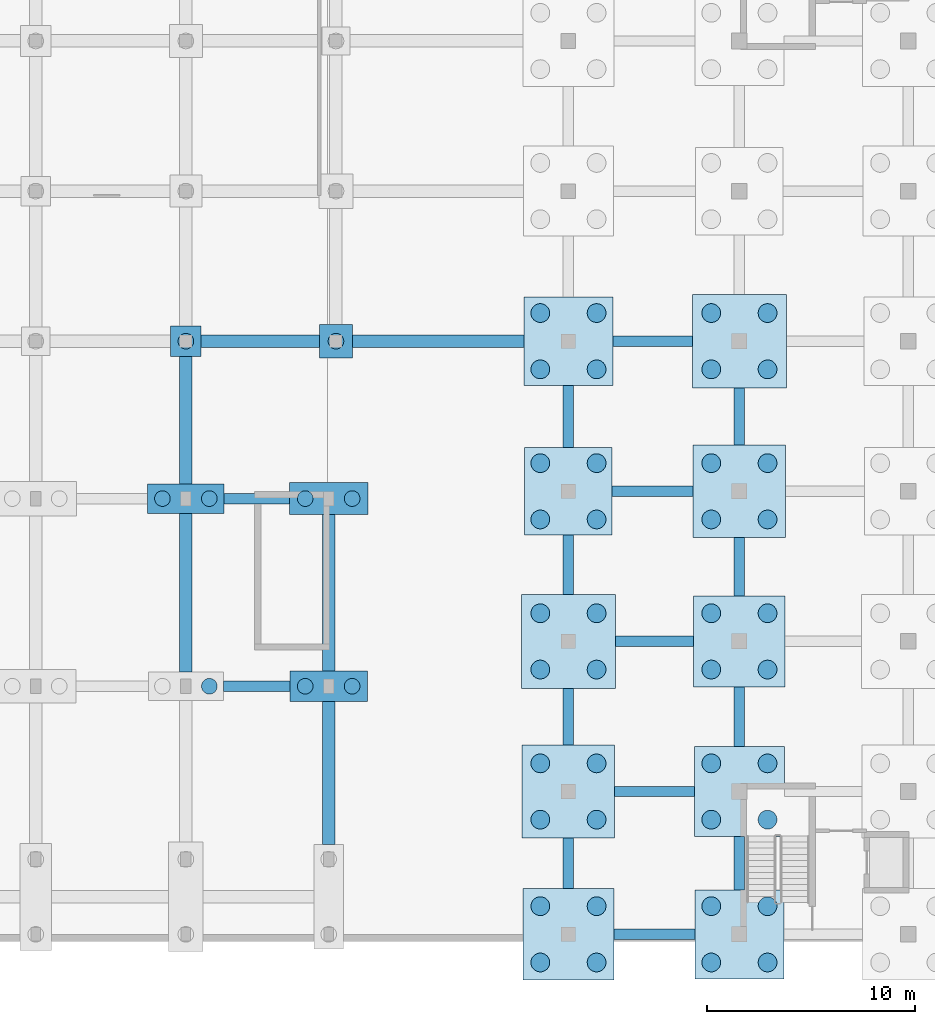
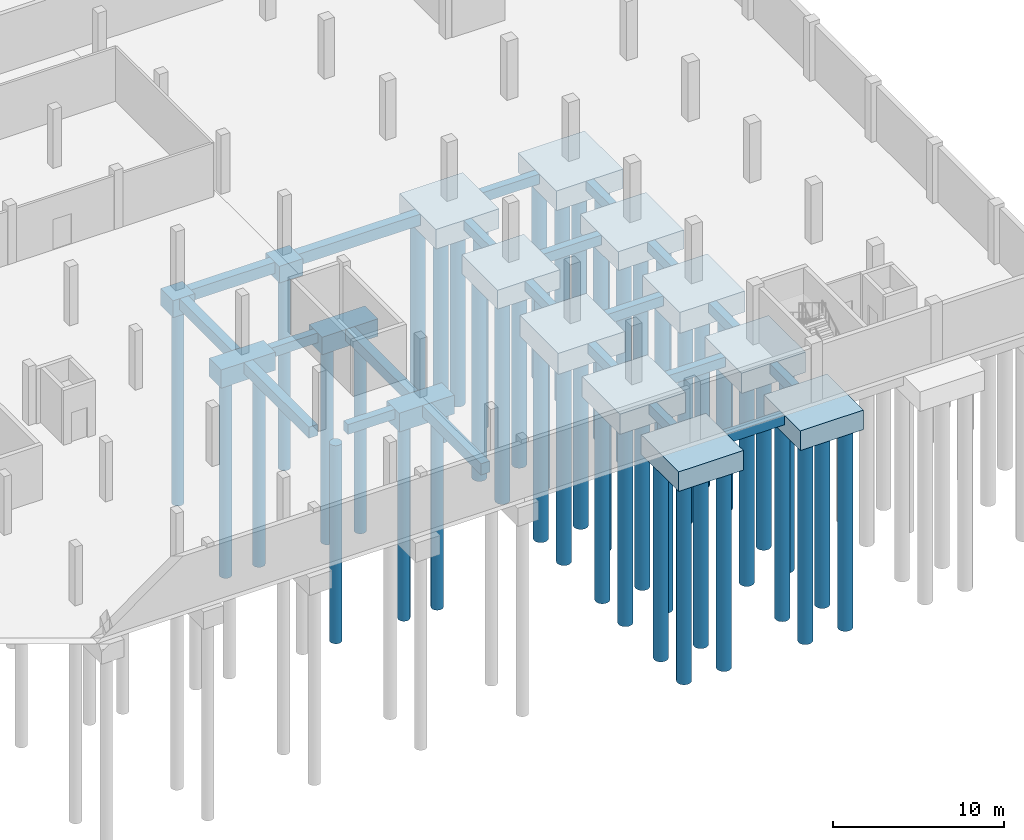
# One storey, part 9 of 36: 49 piles, 36 footings.
"""IFC4 building model written with IfcOpenShell, lengths in metres."""

from ifc_helpers import new_model, si_unit, derived_unit, direction, frame, origin, origin_2d, place, context, subcontext, project, spatial, polyline, rectangle, circle, outline, extrude, material, material_profile, profile_set, type_object, element, save


model = new_model("IFC4")

# Units and contexts
model_context = context("Model", 3, precision=1e-05, world=origin(), true_north=direction((0.0, 1.0)))
body_context = subcontext(model_context, "Body", "Model", "MODEL_VIEW")
ifc_project = project(units=[si_unit("LENGTHUNIT", "METRE"), si_unit("AREAUNIT", "SQUARE_METRE"), si_unit("VOLUMEUNIT", "CUBIC_METRE"), si_unit("PLANEANGLEUNIT", "RADIAN"), si_unit("MASSUNIT", "GRAM", prefix="KILO"), derived_unit("THERMALTRANSMITTANCEUNIT", [(si_unit("MASSUNIT", "GRAM", prefix="KILO"), 1), (si_unit("TIMEUNIT", "SECOND"), -3), (si_unit("THERMODYNAMICTEMPERATUREUNIT", "KELVIN"), -1)])], contexts=[model_context])

# Site, building, storey
site_placement = place(None, origin())
site = spatial("IfcSite", under=ifc_project, at=site_placement, CompositionType="ELEMENT")
building_placement = place(site_placement, origin())
building = spatial("IfcBuilding", under=site, at=building_placement, Name="Ochrekiln Boulevard Commons", CompositionType="ELEMENT")
storey_placement = place(building_placement, frame((0.0, 0.0, -4.199951171875)))
storey = spatial("IfcBuildingStorey", under=building, at=storey_placement, Name="B1", CompositionType="ELEMENT", Elevation=-4.199951171875)

# Footings
ifc_material = material(Name="Concrete C35/45", Category="concrete")
footing_type_1 = type_object("IfcFootingType", Name="CAP-RC-1470x1470x1200", PredefinedType="PILE_CAP", material=ifc_material)
footing_1_placement = place(storey_placement, frame((129.60009765625, 28.800048828125, -1.5), z_axis=(0.0, 0.0, 1.0), x_axis=(1.0, 0.0, 0.0)))
element("IfcFooting", 1, at=footing_1_placement, inside=storey, type_object=footing_type_1, Name="Reinforced Concrete Pile Cap PC-29 (158)", PredefinedType="PILE_CAP", context=body_context, shape_type="SweptSolid", body=[
    extrude(rectangle(XDim=1.469970703125, YDim=1.469970703125, at=origin_2d()), origin(), (0.0, 0.0, 1.0), 1.199951171875),
])
footing_type_2 = type_object("IfcFootingType", Name="CAP-RC-1590x1590x1200", PredefinedType="PILE_CAP", material=ifc_material)
footing_2_placement = place(storey_placement, frame((136.800048828125, 28.800048828125, -1.5), z_axis=(0.0, 0.0, 1.0), x_axis=(1.0, 0.0, 0.0)))
element("IfcFooting", 2, at=footing_2_placement, inside=storey, type_object=footing_type_2, Name="Reinforced Concrete Pile Cap PC-26 (166)", PredefinedType="PILE_CAP", context=body_context, shape_type="SweptSolid", body=[
    extrude(rectangle(XDim=1.590087890625, YDim=1.590087890625, at=origin_2d()), origin(), (0.0, 0.0, 1.0), 1.199951171875),
])
footing_type_3 = type_object("IfcFootingType", Name="CAP-RC-3660x1410x1300", PredefinedType="PILE_CAP", material=ifc_material)
footing_3_placement = place(storey_placement, frame((129.60009765625, 21.25, -1.60009765625), z_axis=(0.0, 0.0, 1.0), x_axis=(1.0, 0.0, 0.0)))
element("IfcFooting", 3, at=footing_3_placement, inside=storey, type_object=footing_type_3, Name="Reinforced Concrete Pile Cap PC-40 (157)", PredefinedType="PILE_CAP", context=body_context, shape_type="SweptSolid", body=[
    extrude(rectangle(XDim=3.659912109375, YDim=1.409912109375, at=origin_2d()), origin(), (0.0, 0.0, 1.0), 1.300048828125),
])
footing_type_4 = type_object("IfcFootingType", Name="CAP-RC-3720x1470x1350", PredefinedType="PILE_CAP", material=ifc_material)
footing_4_placement = place(storey_placement, frame((136.449951171875, 12.25, -1.650146484375), z_axis=(0.0, 0.0, 1.0), x_axis=(1.0, 0.0, 0.0)))
element("IfcFooting", 4, at=footing_4_placement, inside=storey, type_object=footing_type_4, Name="Reinforced Concrete Pile Cap PC-35 (164)", PredefinedType="PILE_CAP", context=body_context, shape_type="SweptSolid", body=[
    extrude(rectangle(XDim=3.719970703125, YDim=1.469970703125, at=origin_2d()), origin(), (0.0, 0.0, 1.0), 1.35009765625),
])
footing_type_5 = type_object("IfcFootingType", Name="CAP-RC-3780x1530x1250", PredefinedType="PILE_CAP", material=ifc_material)
footing_5_placement = place(storey_placement, frame((136.449951171875, 21.25, -1.550048828125), z_axis=(0.0, 0.0, 1.0), x_axis=(1.0, 0.0, 0.0)))
element("IfcFooting", 5, at=footing_5_placement, inside=storey, type_object=footing_type_5, Name="Reinforced Concrete Pile Cap PC-36 (165)", PredefinedType="PILE_CAP", context=body_context, shape_type="SweptSolid", body=[
    extrude(rectangle(XDim=3.780029296875, YDim=1.530029296875, at=origin_2d()), origin(), (0.0, 0.0, 1.0), 1.25),
])
footing_type_6 = type_object("IfcFootingType", Name="CAP-RC-4200x4200x1350", PredefinedType="PILE_CAP", material=ifc_material)
footing_6_placement = place(storey_placement, frame((147.949951171875, 21.60009765625, -1.650146484375), z_axis=(0.0, 0.0, 1.0), x_axis=(1.0, 0.0, 0.0)))
element("IfcFooting", 6, at=footing_6_placement, inside=storey, type_object=footing_type_6, Name="Reinforced Concrete Pile Cap PC-45 (180)", PredefinedType="PILE_CAP", context=body_context, shape_type="SweptSolid", body=[
    extrude(rectangle(XDim=4.199951171875, YDim=4.199951171875, at=origin_2d()), origin(), (0.0, 0.0, 1.0), 1.35009765625),
])
footing_type_7 = type_object("IfcFootingType", Name="CAP-RC-4260x4260x1400", PredefinedType="PILE_CAP", material=ifc_material)
for number, where, z_axis, x_axis, name in (
    (7, (147.949951171875, 28.800048828125, -1.699951171875), (0.0, 0.0, 1.0), (1.0, 0.0, 0.0), "Reinforced Concrete Pile Cap PC-46 (181)"),
    (8, (156.14990234375, 0.35009765625, -1.699951171875), (0.0, 0.0, 1.0), (1.0, 0.0, 0.0), "Reinforced Concrete Pile Cap PC-46 (193)"),
):
    element("IfcFooting", number, at=place(storey_placement, frame(where, z_axis=z_axis, x_axis=x_axis)), inside=storey, type_object=footing_type_7, Name=name, PredefinedType="PILE_CAP", context=body_context, shape_type="SweptSolid", body=[
        extrude(rectangle(XDim=4.260009765625, YDim=4.260009765625, at=origin_2d()), origin(), (0.0, 0.0, 1.0), 1.39990234375),
    ])
footing_type_8 = type_object("IfcFootingType", Name="CAP-RC-4320x4320x1450", PredefinedType="PILE_CAP", material=ifc_material)
footing_7_placement = place(storey_placement, frame((156.14990234375, 7.199951171875, -1.75), z_axis=(0.0, 0.0, 1.0), x_axis=(1.0, 0.0, 0.0)))
element("IfcFooting", 9, at=footing_7_placement, inside=storey, type_object=footing_type_8, Name="Reinforced Concrete Pile Cap PC-47 (194)", PredefinedType="PILE_CAP", context=body_context, shape_type="SweptSolid", body=[
    extrude(rectangle(XDim=4.320068359375, YDim=4.320068359375, at=origin_2d()), origin(), (0.0, 0.0, 1.0), 1.449951171875),
])
footing_type_9 = type_object("IfcFootingType", Name="CAP-RC-4380x4380x1400", PredefinedType="PILE_CAP", material=ifc_material)
footing_8_placement = place(storey_placement, frame((147.949951171875, 0.35009765625, -1.699951171875), z_axis=(0.0, 0.0, 1.0), x_axis=(1.0, 0.0, 0.0)))
element("IfcFooting", 10, at=footing_8_placement, inside=storey, type_object=footing_type_9, Name="Reinforced Concrete Pile Cap PC-42 (177)", PredefinedType="PILE_CAP", context=body_context, shape_type="SweptSolid", body=[
    extrude(rectangle(XDim=4.3798828125, YDim=4.3798828125, at=origin_2d()), origin(), (0.0, 0.0, 1.0), 1.39990234375),
])
footing_type_10 = type_object("IfcFootingType", Name="CAP-RC-4380x4380x1500", PredefinedType="PILE_CAP", material=ifc_material)
footing_9_placement = place(storey_placement, frame((156.14990234375, 14.39990234375, -1.800048828125), z_axis=(0.0, 0.0, 1.0), x_axis=(1.0, 0.0, 0.0)))
element("IfcFooting", 11, at=footing_9_placement, inside=storey, type_object=footing_type_10, Name="Reinforced Concrete Pile Cap PC-48 (195)", PredefinedType="PILE_CAP", context=body_context, shape_type="SweptSolid", body=[
    extrude(rectangle(XDim=4.3798828125, YDim=4.3798828125, at=origin_2d()), origin(), (0.0, 0.0, 1.0), 1.5),
])
footing_type_11 = type_object("IfcFootingType", Name="CAP-RC-4440x4440x1350", PredefinedType="PILE_CAP", material=ifc_material)
footing_10_placement = place(storey_placement, frame((156.14990234375, 21.60009765625, -1.650146484375), z_axis=(0.0, 0.0, 1.0), x_axis=(1.0, 0.0, 0.0)))
element("IfcFooting", 12, at=footing_10_placement, inside=storey, type_object=footing_type_11, Name="Reinforced Concrete Pile Cap PC-49 (196)", PredefinedType="PILE_CAP", context=body_context, shape_type="SweptSolid", body=[
    extrude(rectangle(XDim=4.43994140625, YDim=4.43994140625, at=origin_2d()), origin(), (0.0, 0.0, 1.0), 1.35009765625),
])
footing_type_12 = type_object("IfcFootingType", Name="CAP-RC-4440x4440x1450", PredefinedType="PILE_CAP", material=ifc_material)
footing_11_placement = place(storey_placement, frame((147.949951171875, 7.199951171875, -1.75), z_axis=(0.0, 0.0, 1.0), x_axis=(1.0, 0.0, 0.0)))
element("IfcFooting", 13, at=footing_11_placement, inside=storey, type_object=footing_type_12, Name="Reinforced Concrete Pile Cap PC-43 (178)", PredefinedType="PILE_CAP", context=body_context, shape_type="SweptSolid", body=[
    extrude(rectangle(XDim=4.43994140625, YDim=4.43994140625, at=origin_2d()), origin(), (0.0, 0.0, 1.0), 1.449951171875),
])
footing_type_13 = type_object("IfcFootingType", Name="CAP-RC-4500x4500x1400", PredefinedType="PILE_CAP", material=ifc_material)
footing_12_placement = place(storey_placement, frame((156.14990234375, 28.800048828125, -1.699951171875), z_axis=(0.0, 0.0, 1.0), x_axis=(1.0, 0.0, 0.0)))
element("IfcFooting", 14, at=footing_12_placement, inside=storey, type_object=footing_type_13, Name="Reinforced Concrete Pile Cap PC-50 (197)", PredefinedType="PILE_CAP", context=body_context, shape_type="SweptSolid", body=[
    extrude(rectangle(XDim=4.5, YDim=4.5, at=origin_2d()), origin(), (0.0, 0.0, 1.0), 1.39990234375),
])
footing_type_14 = type_object("IfcFootingType", Name="CAP-RC-4500x4500x1500", PredefinedType="PILE_CAP", material=ifc_material)
footing_13_placement = place(storey_placement, frame((147.949951171875, 14.39990234375, -1.800048828125), z_axis=(0.0, 0.0, 1.0), x_axis=(1.0, 0.0, 0.0)))
element("IfcFooting", 15, at=footing_13_placement, inside=storey, type_object=footing_type_14, Name="Reinforced Concrete Pile Cap PC-44 (179)", PredefinedType="PILE_CAP", context=body_context, shape_type="SweptSolid", body=[
    extrude(rectangle(XDim=4.5, YDim=4.5, at=origin_2d()), origin(), (0.0, 0.0, 1.0), 1.5),
])
footing_type_15 = type_object("IfcFootingType", Name="FTG-BEAM-500x700", PredefinedType="FOOTING_BEAM", material=ifc_material)
footing_14_placement = place(storey_placement, frame((0.0, 0.0, -1.0)))
element("IfcFooting", 16, at=footing_14_placement, inside=storey, type_object=footing_type_15, Name="Seismic Footing Tie Beam FB-5070 X-2", PredefinedType="FOOTING_BEAM", context=body_context, shape_type="SweptSolid", body=[
    extrude(outline(polyline([(150.139892578125, 0.10009765625), (154.02001953125, 0.10009765625), (154.02001953125, 0.60009765625), (150.139892578125, 0.60009765625), (150.139892578125, 0.10009765625)])), origin(), (0.0, 0.0, 1.0), 0.699951171875),
])
footing_15_placement = place(storey_placement, frame((0.0, 0.0, -1.0)))
element("IfcFooting", 17, at=footing_15_placement, inside=storey, type_object=footing_type_15, Name="Seismic Footing Tie Beam FB-5070 X-6", PredefinedType="FOOTING_BEAM", context=body_context, shape_type="SweptSolid", body=[
    extrude(outline(polyline([(150.169921875, 6.949951171875), (153.989990234375, 6.949951171875), (153.989990234375, 7.449951171875), (150.169921875, 7.449951171875), (150.169921875, 6.949951171875)])), origin(), (0.0, 0.0, 1.0), 0.699951171875),
])
footing_16_placement = place(storey_placement, frame((0.0, 0.0, -1.0)))
element("IfcFooting", 18, at=footing_16_placement, inside=storey, type_object=footing_type_15, Name="Seismic Footing Tie Beam FB-5070 X-10", PredefinedType="FOOTING_BEAM", context=body_context, shape_type="SweptSolid", body=[
    extrude(outline(polyline([(150.199951171875, 14.14990234375), (153.9599609375, 14.14990234375), (153.9599609375, 14.64990234375), (150.199951171875, 14.64990234375), (150.199951171875, 14.14990234375)])), origin(), (0.0, 0.0, 1.0), 0.699951171875),
])
footing_17_placement = place(storey_placement, frame((0.0, 0.0, -1.0)))
element("IfcFooting", 19, at=footing_17_placement, inside=storey, type_object=footing_type_15, Name="Seismic Footing Tie Beam FB-5070 X-27", PredefinedType="FOOTING_BEAM", context=body_context, shape_type="SweptSolid", body=[
    extrude(outline(polyline([(131.429931640625, 21.0), (134.56005859375, 21.0), (134.56005859375, 21.5), (131.429931640625, 21.5), (131.429931640625, 21.0)])), origin(), (0.0, 0.0, 1.0), 0.699951171875),
])
footing_18_placement = place(storey_placement, frame((0.0, 0.0, -1.0)))
element("IfcFooting", 20, at=footing_18_placement, inside=storey, type_object=footing_type_15, Name="Seismic Footing Tie Beam FB-5070 X-28", PredefinedType="FOOTING_BEAM", context=body_context, shape_type="SweptSolid", body=[
    extrude(outline(polyline([(150.050048828125, 21.35009765625), (153.929931640625, 21.35009765625), (153.929931640625, 21.85009765625), (150.050048828125, 21.85009765625), (150.050048828125, 21.35009765625)])), origin(), (0.0, 0.0, 1.0), 0.699951171875),
])
footing_19_placement = place(storey_placement, frame((0.0, 0.0, -1.0)))
element("IfcFooting", 21, at=footing_19_placement, inside=storey, type_object=footing_type_15, Name="Seismic Footing Tie Beam FB-5070 X-49", PredefinedType="FOOTING_BEAM", context=body_context, shape_type="SweptSolid", body=[
    extrude(outline(polyline([(150.080078125, 28.550048828125), (153.89990234375, 28.550048828125), (153.89990234375, 29.050048828125), (150.080078125, 29.050048828125), (150.080078125, 28.550048828125)])), origin(), (0.0, 0.0, 1.0), 0.699951171875),
])
footing_20_placement = place(storey_placement, frame((0.0, 0.0, -1.0)))
element("IfcFooting", 22, at=footing_20_placement, inside=storey, type_object=footing_type_15, Name="Seismic Footing Tie Beam FB-5070 X-155", PredefinedType="FOOTING_BEAM", context=body_context, shape_type="SweptSolid", body=[
    extrude(outline(polyline([(131.39990234375, 12.0), (134.590087890625, 12.0), (134.590087890625, 12.5), (131.39990234375, 12.5), (131.39990234375, 12.0)])), origin(), (0.0, 0.0, 1.0), 0.699951171875),
])
footing_21_placement = place(storey_placement, frame((0.0, 0.0, -1.0)))
element("IfcFooting", 23, at=footing_21_placement, inside=storey, type_object=footing_type_15, Name="Seismic Footing Tie Beam FB-5070 Y-286", PredefinedType="FOOTING_BEAM", context=body_context, shape_type="SweptSolid", body=[
    extrude(outline(polyline([(147.699951171875, 2.5400390625), (148.199951171875, 2.5400390625), (148.199951171875, 4.97998046875), (147.699951171875, 4.97998046875), (147.699951171875, 2.5400390625)])), origin(), (0.0, 0.0, 1.0), 0.699951171875),
])
footing_22_placement = place(storey_placement, frame((0.0, 0.0, -1.0)))
element("IfcFooting", 24, at=footing_22_placement, inside=storey, type_object=footing_type_15, Name="Seismic Footing Tie Beam FB-5070 Y-287", PredefinedType="FOOTING_BEAM", context=body_context, shape_type="SweptSolid", body=[
    extrude(outline(polyline([(147.699951171875, 9.419921875), (148.199951171875, 9.419921875), (148.199951171875, 12.14990234375), (147.699951171875, 12.14990234375), (147.699951171875, 9.419921875)])), origin(), (0.0, 0.0, 1.0), 0.699951171875),
])
footing_23_placement = place(storey_placement, frame((0.0, 0.0, -1.0)))
element("IfcFooting", 25, at=footing_23_placement, inside=storey, type_object=footing_type_15, Name="Seismic Footing Tie Beam FB-5070 Y-288", PredefinedType="FOOTING_BEAM", context=body_context, shape_type="SweptSolid", body=[
    extrude(outline(polyline([(147.699951171875, 16.64990234375), (148.199951171875, 16.64990234375), (148.199951171875, 19.5), (147.699951171875, 19.5), (147.699951171875, 16.64990234375)])), origin(), (0.0, 0.0, 1.0), 0.699951171875),
])
footing_24_placement = place(storey_placement, frame((0.0, 0.0, -1.0)))
element("IfcFooting", 26, at=footing_24_placement, inside=storey, type_object=footing_type_15, Name="Seismic Footing Tie Beam FB-5070 Y-289", PredefinedType="FOOTING_BEAM", context=body_context, shape_type="SweptSolid", body=[
    extrude(outline(polyline([(147.699951171875, 23.699951171875), (148.199951171875, 23.699951171875), (148.199951171875, 26.669921875), (147.699951171875, 26.669921875), (147.699951171875, 23.699951171875)])), origin(), (0.0, 0.0, 1.0), 0.699951171875),
])
footing_25_placement = place(storey_placement, frame((0.0, 0.0, -1.0)))
element("IfcFooting", 27, at=footing_25_placement, inside=storey, type_object=footing_type_15, Name="Seismic Footing Tie Beam FB-5070 Y-300", PredefinedType="FOOTING_BEAM", context=body_context, shape_type="SweptSolid", body=[
    extrude(outline(polyline([(155.89990234375, 2.47998046875), (156.39990234375, 2.47998046875), (156.39990234375, 5.0400390625), (155.89990234375, 5.0400390625), (155.89990234375, 2.47998046875)])), origin(), (0.0, 0.0, 1.0), 0.699951171875),
])
footing_26_placement = place(storey_placement, frame((0.0, 0.0, -1.0)))
element("IfcFooting", 28, at=footing_26_placement, inside=storey, type_object=footing_type_15, Name="Seismic Footing Tie Beam FB-5070 Y-301", PredefinedType="FOOTING_BEAM", context=body_context, shape_type="SweptSolid", body=[
    extrude(outline(polyline([(155.89990234375, 9.360107421875), (156.39990234375, 9.360107421875), (156.39990234375, 12.2099609375), (155.89990234375, 12.2099609375), (155.89990234375, 9.360107421875)])), origin(), (0.0, 0.0, 1.0), 0.699951171875),
])
footing_27_placement = place(storey_placement, frame((0.0, 0.0, -1.0)))
element("IfcFooting", 29, at=footing_27_placement, inside=storey, type_object=footing_type_15, Name="Seismic Footing Tie Beam FB-5070 Y-302", PredefinedType="FOOTING_BEAM", context=body_context, shape_type="SweptSolid", body=[
    extrude(outline(polyline([(155.89990234375, 16.590087890625), (156.39990234375, 16.590087890625), (156.39990234375, 19.3798828125), (155.89990234375, 19.3798828125), (155.89990234375, 16.590087890625)])), origin(), (0.0, 0.0, 1.0), 0.699951171875),
])
footing_28_placement = place(storey_placement, frame((0.0, 0.0, -1.0)))
element("IfcFooting", 30, at=footing_28_placement, inside=storey, type_object=footing_type_15, Name="Seismic Footing Tie Beam FB-5070 Y-303", PredefinedType="FOOTING_BEAM", context=body_context, shape_type="SweptSolid", body=[
    extrude(outline(polyline([(155.89990234375, 23.820068359375), (156.39990234375, 23.820068359375), (156.39990234375, 26.550048828125), (155.89990234375, 26.550048828125), (155.89990234375, 23.820068359375)])), origin(), (0.0, 0.0, 1.0), 0.699951171875),
])
footing_type_16 = type_object("IfcFootingType", Name="FTG-BEAM-600x800", PredefinedType="FOOTING_BEAM", material=ifc_material)
footing_29_placement = place(storey_placement, frame((0.0, 0.0, -1.10009765625)))
element("IfcFooting", 31, at=footing_29_placement, inside=storey, type_object=footing_type_16, Name="Seismic Footing Tie Beam FB-6080 X-47", PredefinedType="FOOTING_BEAM", context=body_context, shape_type="SweptSolid", body=[
    extrude(outline(polyline([(130.3349609375, 28.5), (136.0048828125, 28.5), (136.0048828125, 29.10009765625), (130.3349609375, 29.10009765625), (130.3349609375, 28.5)])), origin(), (0.0, 0.0, 1.0), 0.800048828125),
])
footing_30_placement = place(storey_placement, frame((0.0, 0.0, -1.10009765625)))
element("IfcFooting", 32, at=footing_30_placement, inside=storey, type_object=footing_type_16, Name="Seismic Footing Tie Beam FB-6080 X-48", PredefinedType="FOOTING_BEAM", context=body_context, shape_type="SweptSolid", body=[
    extrude(outline(polyline([(137.594970703125, 28.5), (145.820068359375, 28.5), (145.820068359375, 29.10009765625), (137.594970703125, 29.10009765625), (137.594970703125, 28.5)])), origin(), (0.0, 0.0, 1.0), 0.800048828125),
])
footing_31_placement = place(storey_placement, frame((0.0, 0.0, -1.10009765625)))
element("IfcFooting", 33, at=footing_31_placement, inside=storey, type_object=footing_type_16, Name="Seismic Footing Tie Beam FB-6080 Y-272", PredefinedType="FOOTING_BEAM", context=body_context, shape_type="SweptSolid", body=[
    extrude(outline(polyline([(129.300048828125, 12.925048828125), (129.89990234375, 12.925048828125), (129.89990234375, 20.544921875), (129.300048828125, 20.544921875), (129.300048828125, 12.925048828125)])), origin(), (0.0, 0.0, 1.0), 0.800048828125),
])
footing_32_placement = place(storey_placement, frame((0.0, 0.0, -1.10009765625)))
element("IfcFooting", 34, at=footing_32_placement, inside=storey, type_object=footing_type_16, Name="Seismic Footing Tie Beam FB-6080 Y-273", PredefinedType="FOOTING_BEAM", context=body_context, shape_type="SweptSolid", body=[
    extrude(outline(polyline([(129.300048828125, 21.955078125), (129.89990234375, 21.955078125), (129.89990234375, 28.06494140625), (129.300048828125, 28.06494140625), (129.300048828125, 21.955078125)])), origin(), (0.0, 0.0, 1.0), 0.800048828125),
])
footing_33_placement = place(storey_placement, frame((0.0, 0.0, -1.10009765625)))
element("IfcFooting", 35, at=footing_33_placement, inside=storey, type_object=footing_type_16, Name="Seismic Footing Tie Beam FB-6080 Y-277", PredefinedType="FOOTING_BEAM", context=body_context, shape_type="SweptSolid", body=[
    extrude(outline(polyline([(136.14990234375, 4.655029296875), (136.75, 4.655029296875), (136.75, 11.514892578125), (136.14990234375, 11.514892578125), (136.14990234375, 4.655029296875)])), origin(), (0.0, 0.0, 1.0), 0.800048828125),
])
footing_34_placement = place(storey_placement, frame((0.0, 0.0, -1.10009765625)))
element("IfcFooting", 36, at=footing_34_placement, inside=storey, type_object=footing_type_16, Name="Seismic Footing Tie Beam FB-6080 Y-278", PredefinedType="FOOTING_BEAM", context=body_context, shape_type="SweptSolid", body=[
    extrude(outline(polyline([(136.14990234375, 12.985107421875), (136.75, 12.985107421875), (136.75, 20.485107421875), (136.14990234375, 20.485107421875), (136.14990234375, 12.985107421875)])), origin(), (0.0, 0.0, 1.0), 0.800048828125),
])

# Piles
ifc_material_profile_1 = material_profile(ifc_material, circle(Radius=0.375, at=origin_2d()), Name="PILE-D750")
ifc_profile_set_1 = profile_set([ifc_material_profile_1], Name="Concrete C35/45")
pile_type_1 = type_object("IfcPileType", Name="PILE-BORED-750", PredefinedType="BORED", material=ifc_profile_set_1)
pile_1_placement = place(storey_placement, frame((130.72509765625, 12.25, -1.449951171875), z_axis=(0.0, 0.0, -1.0), x_axis=(1.0, 0.0, 0.0)))
element("IfcPile", 37, at=pile_1_placement, inside=storey, type_object=pile_type_1, Name="Caliche-Socketed Bored Pile BP-750 (156.2)", PredefinedType="BORED", context=body_context, shape_type="SweptSolid", body=[
    extrude(circle(Radius=0.375, at=origin_2d()), origin(), (0.0, 0.0, 1.0), 14.14990234375),
])
for number, where, z_axis, x_axis, name in (
    (38, (128.47509765625, 21.25, -1.5), (0.0, 0.0, -1.0), (1.0, 0.0, 0.0), "Caliche-Socketed Bored Pile BP-750 (157.1)"),
    (39, (130.72509765625, 21.25, -1.5), (0.0, 0.0, -1.0), (1.0, 0.0, 0.0), "Caliche-Socketed Bored Pile BP-750 (157.2)"),
):
    element("IfcPile", number, at=place(storey_placement, frame(where, z_axis=z_axis, x_axis=x_axis)), inside=storey, type_object=pile_type_1, Name=name, PredefinedType="BORED", context=body_context, shape_type="SweptSolid", body=[
        extrude(circle(Radius=0.375, at=origin_2d()), origin(), (0.0, 0.0, 1.0), 14.10009765625),
    ])
pile_2_placement = place(storey_placement, frame((129.60009765625, 28.800048828125, -1.400146484375), z_axis=(0.0, 0.0, -1.0), x_axis=(1.0, 0.0, 0.0)))
element("IfcPile", 40, at=pile_2_placement, inside=storey, type_object=pile_type_1, Name="Caliche-Socketed Bored Pile BP-750 (158.1)", PredefinedType="BORED", context=body_context, shape_type="SweptSolid", body=[
    extrude(circle(Radius=0.375, at=origin_2d()), origin(), (0.0, 0.0, 1.0), 14.0),
])
for number, where, z_axis, x_axis, name in (
    (41, (135.324951171875, 12.25, -1.550048828125), (0.0, 0.0, -1.0), (1.0, 0.0, 0.0), "Caliche-Socketed Bored Pile BP-750 (164.1)"),
    (42, (137.574951171875, 12.25, -1.550048828125), (0.0, 0.0, -1.0), (1.0, 0.0, 0.0), "Caliche-Socketed Bored Pile BP-750 (164.2)"),
):
    element("IfcPile", number, at=place(storey_placement, frame(where, z_axis=z_axis, x_axis=x_axis)), inside=storey, type_object=pile_type_1, Name=name, PredefinedType="BORED", context=body_context, shape_type="SweptSolid", body=[
        extrude(circle(Radius=0.375, at=origin_2d()), origin(), (0.0, 0.0, 1.0), 14.050048828125),
    ])
for number, where, z_axis, x_axis, name in (
    (43, (135.324951171875, 21.25, -1.449951171875), (0.0, 0.0, -1.0), (1.0, 0.0, 0.0), "Caliche-Socketed Bored Pile BP-750 (165.1)"),
    (44, (137.574951171875, 21.25, -1.449951171875), (0.0, 0.0, -1.0), (1.0, 0.0, 0.0), "Caliche-Socketed Bored Pile BP-750 (165.2)"),
):
    element("IfcPile", number, at=place(storey_placement, frame(where, z_axis=z_axis, x_axis=x_axis)), inside=storey, type_object=pile_type_1, Name=name, PredefinedType="BORED", context=body_context, shape_type="SweptSolid", body=[
        extrude(circle(Radius=0.375, at=origin_2d()), origin(), (0.0, 0.0, 1.0), 14.14990234375),
    ])
pile_3_placement = place(storey_placement, frame((136.800048828125, 28.800048828125, -1.400146484375), z_axis=(0.0, 0.0, -1.0), x_axis=(1.0, 0.0, 0.0)))
element("IfcPile", 45, at=pile_3_placement, inside=storey, type_object=pile_type_1, Name="Caliche-Socketed Bored Pile BP-750 (166.1)", PredefinedType="BORED", context=body_context, shape_type="SweptSolid", body=[
    extrude(circle(Radius=0.375, at=origin_2d()), origin(), (0.0, 0.0, 1.0), 14.0),
])
ifc_material_profile_2 = material_profile(ifc_material, circle(Radius=0.449951171875, at=origin_2d()), Name="PILE-D900")
ifc_profile_set_2 = profile_set([ifc_material_profile_2], Name="Concrete C35/45")
pile_type_2 = type_object("IfcPileType", Name="PILE-BORED-900", PredefinedType="BORED", material=ifc_profile_set_2)
for number, where, z_axis, x_axis, name in (
    (46, (146.60009765625, -1.0, -1.60009765625), (0.0, 0.0, -1.0), (1.0, 0.0, 0.0), "Caliche-Socketed Bored Pile BP-900 (177.1)"),
    (47, (146.60009765625, 1.699951171875, -1.60009765625), (0.0, 0.0, -1.0), (1.0, 0.0, 0.0), "Caliche-Socketed Bored Pile BP-900 (177.2)"),
    (48, (149.300048828125, -1.0, -1.60009765625), (0.0, 0.0, -1.0), (1.0, 0.0, 0.0), "Caliche-Socketed Bored Pile BP-900 (177.3)"),
    (49, (149.300048828125, 1.699951171875, -1.60009765625), (0.0, 0.0, -1.0), (1.0, 0.0, 0.0), "Caliche-Socketed Bored Pile BP-900 (177.4)"),
):
    element("IfcPile", number, at=place(storey_placement, frame(where, z_axis=z_axis, x_axis=x_axis)), inside=storey, type_object=pile_type_2, Name=name, PredefinedType="BORED", context=body_context, shape_type="SweptSolid", body=[
        extrude(circle(Radius=0.449951171875, at=origin_2d()), origin(), (0.0, 0.0, 1.0), 14.39990234375),
    ])
for number, where, z_axis, x_axis, name in (
    (50, (146.60009765625, 5.85009765625, -1.650146484375), (0.0, 0.0, -1.0), (1.0, 0.0, 0.0), "Caliche-Socketed Bored Pile BP-900 (178.1)"),
    (51, (146.60009765625, 8.550048828125, -1.650146484375), (0.0, 0.0, -1.0), (1.0, 0.0, 0.0), "Caliche-Socketed Bored Pile BP-900 (178.2)"),
    (52, (149.300048828125, 5.85009765625, -1.650146484375), (0.0, 0.0, -1.0), (1.0, 0.0, 0.0), "Caliche-Socketed Bored Pile BP-900 (178.3)"),
    (53, (149.300048828125, 8.550048828125, -1.650146484375), (0.0, 0.0, -1.0), (1.0, 0.0, 0.0), "Caliche-Socketed Bored Pile BP-900 (178.4)"),
):
    element("IfcPile", number, at=place(storey_placement, frame(where, z_axis=z_axis, x_axis=x_axis)), inside=storey, type_object=pile_type_2, Name=name, PredefinedType="BORED", context=body_context, shape_type="SweptSolid", body=[
        extrude(circle(Radius=0.449951171875, at=origin_2d()), origin(), (0.0, 0.0, 1.0), 14.35009765625),
    ])
for number, where, z_axis, x_axis, name in (
    (54, (146.60009765625, 13.050048828125, -1.699951171875), (0.0, 0.0, -1.0), (1.0, 0.0, 0.0), "Caliche-Socketed Bored Pile BP-900 (179.1)"),
    (55, (146.60009765625, 15.75, -1.699951171875), (0.0, 0.0, -1.0), (1.0, 0.0, 0.0), "Caliche-Socketed Bored Pile BP-900 (179.2)"),
    (56, (149.300048828125, 13.050048828125, -1.699951171875), (0.0, 0.0, -1.0), (1.0, 0.0, 0.0), "Caliche-Socketed Bored Pile BP-900 (179.3)"),
    (57, (149.300048828125, 15.75, -1.699951171875), (0.0, 0.0, -1.0), (1.0, 0.0, 0.0), "Caliche-Socketed Bored Pile BP-900 (179.4)"),
):
    element("IfcPile", number, at=place(storey_placement, frame(where, z_axis=z_axis, x_axis=x_axis)), inside=storey, type_object=pile_type_2, Name=name, PredefinedType="BORED", context=body_context, shape_type="SweptSolid", body=[
        extrude(circle(Radius=0.449951171875, at=origin_2d()), origin(), (0.0, 0.0, 1.0), 14.300048828125),
    ])
for number, where, z_axis, x_axis, name in (
    (58, (146.60009765625, 20.25, -1.550048828125), (0.0, 0.0, -1.0), (1.0, 0.0, 0.0), "Caliche-Socketed Bored Pile BP-900 (180.1)"),
    (59, (146.60009765625, 22.949951171875, -1.550048828125), (0.0, 0.0, -1.0), (1.0, 0.0, 0.0), "Caliche-Socketed Bored Pile BP-900 (180.2)"),
    (60, (149.300048828125, 20.25, -1.550048828125), (0.0, 0.0, -1.0), (1.0, 0.0, 0.0), "Caliche-Socketed Bored Pile BP-900 (180.3)"),
    (61, (149.300048828125, 22.949951171875, -1.550048828125), (0.0, 0.0, -1.0), (1.0, 0.0, 0.0), "Caliche-Socketed Bored Pile BP-900 (180.4)"),
):
    element("IfcPile", number, at=place(storey_placement, frame(where, z_axis=z_axis, x_axis=x_axis)), inside=storey, type_object=pile_type_2, Name=name, PredefinedType="BORED", context=body_context, shape_type="SweptSolid", body=[
        extrude(circle(Radius=0.449951171875, at=origin_2d()), origin(), (0.0, 0.0, 1.0), 14.449951171875),
    ])
for number, where, z_axis, x_axis, name in (
    (62, (146.60009765625, 27.449951171875, -1.60009765625), (0.0, 0.0, -1.0), (1.0, 0.0, 0.0), "Caliche-Socketed Bored Pile BP-900 (181.1)"),
    (63, (146.60009765625, 30.14990234375, -1.60009765625), (0.0, 0.0, -1.0), (1.0, 0.0, 0.0), "Caliche-Socketed Bored Pile BP-900 (181.2)"),
    (64, (149.300048828125, 27.449951171875, -1.60009765625), (0.0, 0.0, -1.0), (1.0, 0.0, 0.0), "Caliche-Socketed Bored Pile BP-900 (181.3)"),
    (65, (149.300048828125, 30.14990234375, -1.60009765625), (0.0, 0.0, -1.0), (1.0, 0.0, 0.0), "Caliche-Socketed Bored Pile BP-900 (181.4)"),
    (66, (154.800048828125, -1.0, -1.60009765625), (0.0, 0.0, -1.0), (1.0, 0.0, 0.0), "Caliche-Socketed Bored Pile BP-900 (193.1)"),
    (67, (154.800048828125, 1.699951171875, -1.60009765625), (0.0, 0.0, -1.0), (1.0, 0.0, 0.0), "Caliche-Socketed Bored Pile BP-900 (193.2)"),
    (68, (157.5, -1.0, -1.60009765625), (0.0, 0.0, -1.0), (1.0, 0.0, 0.0), "Caliche-Socketed Bored Pile BP-900 (193.3)"),
    (69, (157.5, 1.699951171875, -1.60009765625), (0.0, 0.0, -1.0), (1.0, 0.0, 0.0), "Caliche-Socketed Bored Pile BP-900 (193.4)"),
):
    element("IfcPile", number, at=place(storey_placement, frame(where, z_axis=z_axis, x_axis=x_axis)), inside=storey, type_object=pile_type_2, Name=name, PredefinedType="BORED", context=body_context, shape_type="SweptSolid", body=[
        extrude(circle(Radius=0.449951171875, at=origin_2d()), origin(), (0.0, 0.0, 1.0), 14.39990234375),
    ])
for number, where, z_axis, x_axis, name in (
    (70, (154.800048828125, 5.85009765625, -1.650146484375), (0.0, 0.0, -1.0), (1.0, 0.0, 0.0), "Caliche-Socketed Bored Pile BP-900 (194.1)"),
    (71, (154.800048828125, 8.550048828125, -1.650146484375), (0.0, 0.0, -1.0), (1.0, 0.0, 0.0), "Caliche-Socketed Bored Pile BP-900 (194.2)"),
    (72, (157.5, 5.85009765625, -1.650146484375), (0.0, 0.0, -1.0), (1.0, 0.0, 0.0), "Caliche-Socketed Bored Pile BP-900 (194.3)"),
    (73, (157.5, 8.550048828125, -1.650146484375), (0.0, 0.0, -1.0), (1.0, 0.0, 0.0), "Caliche-Socketed Bored Pile BP-900 (194.4)"),
):
    element("IfcPile", number, at=place(storey_placement, frame(where, z_axis=z_axis, x_axis=x_axis)), inside=storey, type_object=pile_type_2, Name=name, PredefinedType="BORED", context=body_context, shape_type="SweptSolid", body=[
        extrude(circle(Radius=0.449951171875, at=origin_2d()), origin(), (0.0, 0.0, 1.0), 14.35009765625),
    ])
for number, where, z_axis, x_axis, name in (
    (74, (154.800048828125, 13.050048828125, -1.699951171875), (0.0, 0.0, -1.0), (1.0, 0.0, 0.0), "Caliche-Socketed Bored Pile BP-900 (195.1)"),
    (75, (154.800048828125, 15.75, -1.699951171875), (0.0, 0.0, -1.0), (1.0, 0.0, 0.0), "Caliche-Socketed Bored Pile BP-900 (195.2)"),
    (76, (157.5, 13.050048828125, -1.699951171875), (0.0, 0.0, -1.0), (1.0, 0.0, 0.0), "Caliche-Socketed Bored Pile BP-900 (195.3)"),
    (77, (157.5, 15.75, -1.699951171875), (0.0, 0.0, -1.0), (1.0, 0.0, 0.0), "Caliche-Socketed Bored Pile BP-900 (195.4)"),
):
    element("IfcPile", number, at=place(storey_placement, frame(where, z_axis=z_axis, x_axis=x_axis)), inside=storey, type_object=pile_type_2, Name=name, PredefinedType="BORED", context=body_context, shape_type="SweptSolid", body=[
        extrude(circle(Radius=0.449951171875, at=origin_2d()), origin(), (0.0, 0.0, 1.0), 14.300048828125),
    ])
for number, where, z_axis, x_axis, name in (
    (78, (154.800048828125, 20.25, -1.550048828125), (0.0, 0.0, -1.0), (1.0, 0.0, 0.0), "Caliche-Socketed Bored Pile BP-900 (196.1)"),
    (79, (154.800048828125, 22.949951171875, -1.550048828125), (0.0, 0.0, -1.0), (1.0, 0.0, 0.0), "Caliche-Socketed Bored Pile BP-900 (196.2)"),
    (80, (157.5, 20.25, -1.550048828125), (0.0, 0.0, -1.0), (1.0, 0.0, 0.0), "Caliche-Socketed Bored Pile BP-900 (196.3)"),
    (81, (157.5, 22.949951171875, -1.550048828125), (0.0, 0.0, -1.0), (1.0, 0.0, 0.0), "Caliche-Socketed Bored Pile BP-900 (196.4)"),
):
    element("IfcPile", number, at=place(storey_placement, frame(where, z_axis=z_axis, x_axis=x_axis)), inside=storey, type_object=pile_type_2, Name=name, PredefinedType="BORED", context=body_context, shape_type="SweptSolid", body=[
        extrude(circle(Radius=0.449951171875, at=origin_2d()), origin(), (0.0, 0.0, 1.0), 14.449951171875),
    ])
for number, where, z_axis, x_axis, name in (
    (82, (154.800048828125, 27.449951171875, -1.60009765625), (0.0, 0.0, -1.0), (1.0, 0.0, 0.0), "Caliche-Socketed Bored Pile BP-900 (197.1)"),
    (83, (154.800048828125, 30.14990234375, -1.60009765625), (0.0, 0.0, -1.0), (1.0, 0.0, 0.0), "Caliche-Socketed Bored Pile BP-900 (197.2)"),
    (84, (157.5, 27.449951171875, -1.60009765625), (0.0, 0.0, -1.0), (1.0, 0.0, 0.0), "Caliche-Socketed Bored Pile BP-900 (197.3)"),
    (85, (157.5, 30.14990234375, -1.60009765625), (0.0, 0.0, -1.0), (1.0, 0.0, 0.0), "Caliche-Socketed Bored Pile BP-900 (197.4)"),
):
    element("IfcPile", number, at=place(storey_placement, frame(where, z_axis=z_axis, x_axis=x_axis)), inside=storey, type_object=pile_type_2, Name=name, PredefinedType="BORED", context=body_context, shape_type="SweptSolid", body=[
        extrude(circle(Radius=0.449951171875, at=origin_2d()), origin(), (0.0, 0.0, 1.0), 14.39990234375),
    ])

save(model, "model.ifc")
